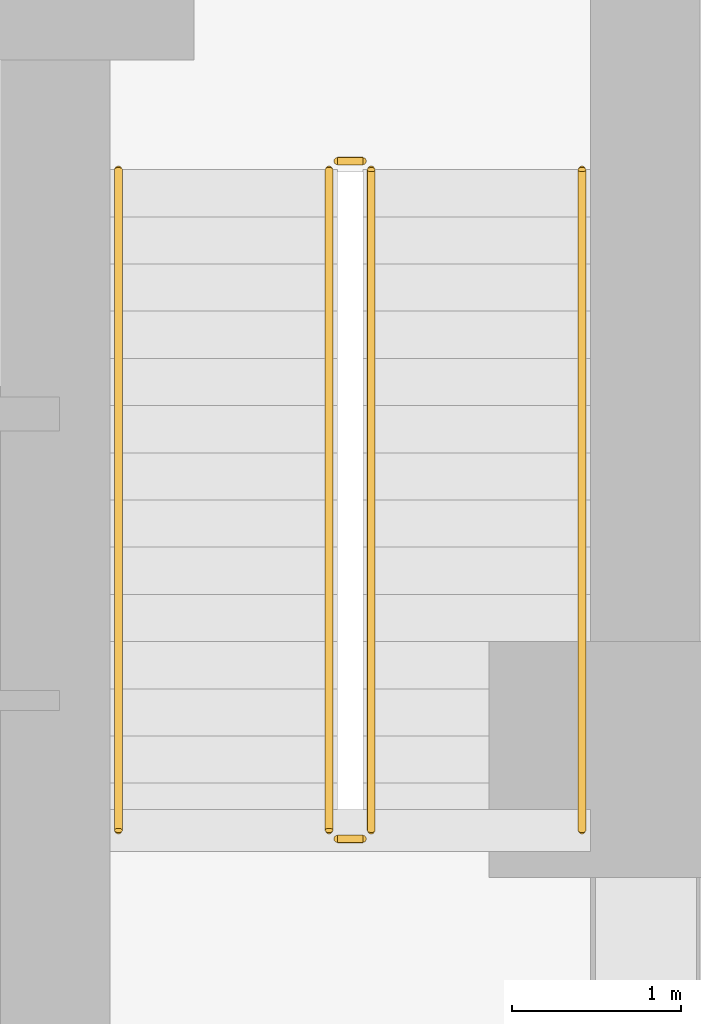
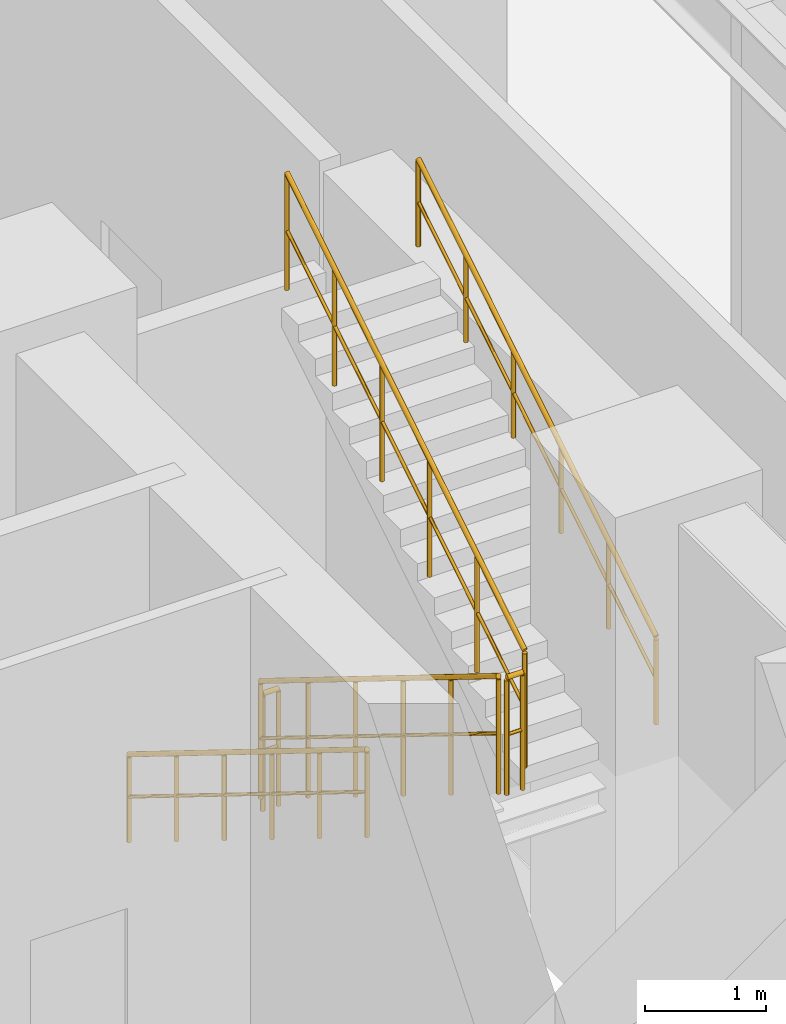
# One storey, part 18 of 19: 6 railings.
"""IFC4 building model written with IfcOpenShell, lengths in metres."""

from ifc_helpers import new_model, si_unit, direction, frame, origin, origin_2d, place, context, subcontext, project, spatial, circle, extrude, material, type_object, element, save


model = new_model("IFC4")

# Units and contexts
model_context = context("Model", 3, precision=1e-05, world=origin(), true_north=direction((0.0, 1.0)))
body_context = subcontext(model_context, "Body", "Model", "MODEL_VIEW")
ifc_project = project(units=[si_unit("LENGTHUNIT", "METRE"), si_unit("AREAUNIT", "SQUARE_METRE"), si_unit("VOLUMEUNIT", "CUBIC_METRE"), si_unit("PLANEANGLEUNIT", "RADIAN"), si_unit("MASSUNIT", "GRAM", prefix="KILO")], contexts=[model_context])

# Site, building, storey
site_placement = place(None, origin())
site = spatial("IfcSite", under=ifc_project, at=site_placement, CompositionType="ELEMENT")
building_placement = place(site_placement, origin())
building = spatial("IfcBuilding", under=site, at=building_placement, Name="Miruveldt Soraemaru", CompositionType="ELEMENT")
storey_placement = place(building_placement, frame((0.0, 0.0, 24.0)))
storey = spatial("IfcBuildingStorey", under=building, at=storey_placement, Name="L06", CompositionType="ELEMENT", Elevation=24.0)

# Railings
ifc_material = material(Name="Steel S355 (355 MPa)", Category="steel")
railing_type_1 = type_object("IfcRailingType", Name="RAIL-HR-900", PredefinedType="HANDRAIL", material=ifc_material)
railing_1_placement = place(storey_placement, frame((49.60009765625, 42.699951171875, 0.17333984375)))
element("IfcRailing", 1, at=railing_1_placement, inside=storey, type_object=railing_type_1, Name="L06 ST-2 stair handrail 1", PredefinedType="HANDRAIL", context=body_context, shape_type="SweptSolid", body=[
    extrude(circle(Radius=0.02392578125, at=origin_2d()), frame((0.0, 0.0, 0.8759765625), z_axis=(0.0, -0.850251603719, 0.526376491091), x_axis=(1.0, 0.0, 0.0)), (0.0, 0.0, 1.0), 4.6103515625),
    extrude(circle(Radius=0.01611328125, at=origin_2d()), frame((0.0, 0.0, 0.449951171875), z_axis=(0.0, -0.850251603719, 0.526376491091), x_axis=(1.0, 0.0, 0.0)), (0.0, 0.0, 1.0), 4.6103515625),
    extrude(circle(Radius=0.02099609375, at=origin_2d()), origin(), (0.0, 0.0, 1.0), 0.851806640625),
    extrude(circle(Radius=0.02099609375, at=origin_2d()), frame((0.0, -0.783935546875, 0.4853515625)), (0.0, 0.0, 1.0), 0.851806640625),
    extrude(circle(Radius=0.02099609375, at=origin_2d()), frame((0.0, -1.56787109375, 0.970703125)), (0.0, 0.0, 1.0), 0.851806640625),
    extrude(circle(Radius=0.02099609375, at=origin_2d()), frame((0.0, -2.35205078125, 1.4560546875)), (0.0, 0.0, 1.0), 0.851806640625),
    extrude(circle(Radius=0.02099609375, at=origin_2d()), frame((0.0, -3.135986328125, 1.94140625)), (0.0, 0.0, 1.0), 0.851806640625),
    extrude(circle(Radius=0.02099609375, at=origin_2d()), frame((0.0, -3.919921875, 2.4267578125)), (0.0, 0.0, 1.0), 0.851806640625),
])
railing_2_placement = place(storey_placement, frame((52.35009765625, 38.780029296875, 2.7734375)))
element("IfcRailing", 2, at=railing_2_placement, inside=storey, type_object=railing_type_1, Name="L06 ST-2 stair handrail 2", PredefinedType="HANDRAIL", context=body_context, shape_type="SweptSolid", body=[
    extrude(circle(Radius=0.02392578125, at=origin_2d()), frame((0.0, 0.0, 0.8759765625), z_axis=(0.0, 0.850275303828, 0.526338206574), x_axis=(-1.0, 0.0, 0.0)), (0.0, 0.0, 1.0), 4.610107421875),
    extrude(circle(Radius=0.01611328125, at=origin_2d()), frame((0.0, 0.0, 0.449951171875), z_axis=(0.0, 0.850275303828, 0.526338206574), x_axis=(-1.0, 0.0, 0.0)), (0.0, 0.0, 1.0), 4.610107421875),
    extrude(circle(Radius=0.02099609375, at=origin_2d()), origin(), (0.0, 0.0, 1.0), 0.851806640625),
    extrude(circle(Radius=0.02099609375, at=origin_2d()), frame((0.0, 0.783935546875, 0.4853515625)), (0.0, 0.0, 1.0), 0.851806640625),
    extrude(circle(Radius=0.02099609375, at=origin_2d()), frame((0.0, 1.56787109375, 0.970703125)), (0.0, 0.0, 1.0), 0.851806640625),
    extrude(circle(Radius=0.02099609375, at=origin_2d()), frame((0.0, 2.35205078125, 1.455810546875)), (0.0, 0.0, 1.0), 0.851806640625),
    extrude(circle(Radius=0.02099609375, at=origin_2d()), frame((0.0, 3.135986328125, 1.941162109375)), (0.0, 0.0, 1.0), 0.851806640625),
    extrude(circle(Radius=0.02099609375, at=origin_2d()), frame((0.0, 3.919921875, 2.426513671875)), (0.0, 0.0, 1.0), 0.851806640625),
])
railing_type_2 = type_object("IfcRailingType", Name="RAIL-STGUARD-1200", PredefinedType="GUARDRAIL", material=ifc_material)
railing_3_placement = place(storey_placement, frame((50.85009765625, 42.699951171875, 0.17333984375)))
element("IfcRailing", 3, at=railing_3_placement, inside=storey, type_object=railing_type_2, Name="L06 ST-2 stair guard 1", PredefinedType="GUARDRAIL", context=body_context, shape_type="SweptSolid", body=[
    extrude(circle(Radius=0.02392578125, at=origin_2d()), frame((0.0, 0.0, 1.17578125), z_axis=(0.0, -0.850251603719, 0.526376491091), x_axis=(1.0, 0.0, 0.0)), (0.0, 0.0, 1.0), 4.6103515625),
    extrude(circle(Radius=0.01611328125, at=origin_2d()), frame((0.0, 0.0, 0.60009765625), z_axis=(0.0, -0.850251603719, 0.526376491091), x_axis=(1.0, 0.0, 0.0)), (0.0, 0.0, 1.0), 4.6103515625),
    extrude(circle(Radius=0.02099609375, at=origin_2d()), origin(), (0.0, 0.0, 1.0), 1.15185546875),
    extrude(circle(Radius=0.02099609375, at=origin_2d()), frame((0.0, -0.783935546875, 0.4853515625)), (0.0, 0.0, 1.0), 1.15185546875),
    extrude(circle(Radius=0.02099609375, at=origin_2d()), frame((0.0, -1.56787109375, 0.970703125)), (0.0, 0.0, 1.0), 1.15185546875),
    extrude(circle(Radius=0.02099609375, at=origin_2d()), frame((0.0, -2.35205078125, 1.4560546875)), (0.0, 0.0, 1.0), 1.15185546875),
    extrude(circle(Radius=0.02099609375, at=origin_2d()), frame((0.0, -3.135986328125, 1.94140625)), (0.0, 0.0, 1.0), 1.15185546875),
    extrude(circle(Radius=0.02099609375, at=origin_2d()), frame((0.0, -3.919921875, 2.4267578125)), (0.0, 0.0, 1.0), 1.15185546875),
])
railing_4_placement = place(storey_placement, frame((50.89990234375, 38.72998046875, 2.60009765625)))
element("IfcRailing", 4, at=railing_4_placement, inside=storey, type_object=railing_type_2, Name="L06 ST-2 stair guard 2", PredefinedType="GUARDRAIL", context=body_context, shape_type="SweptSolid", body=[
    extrude(circle(Radius=0.02392578125, at=origin_2d()), frame((0.0, 0.0, 1.17578125), z_axis=(1.0, 0.0, 0.0), x_axis=(0.0, 1.0, 0.0)), (0.0, 0.0, 1.0), 0.150146484375),
    extrude(circle(Radius=0.01611328125, at=origin_2d()), frame((0.0, 0.0, 0.60009765625), z_axis=(1.0, 0.0, 0.0), x_axis=(0.0, 1.0, 0.0)), (0.0, 0.0, 1.0), 0.150146484375),
    extrude(circle(Radius=0.02099609375, at=origin_2d()), origin(), (0.0, 0.0, 1.0), 1.15185546875),
    extrude(circle(Radius=0.02099609375, at=origin_2d()), frame((0.150146484375, 0.0, 0.0)), (0.0, 0.0, 1.0), 1.15185546875),
])
railing_5_placement = place(storey_placement, frame((51.10009765625, 38.780029296875, 2.7734375)))
element("IfcRailing", 5, at=railing_5_placement, inside=storey, type_object=railing_type_2, Name="L06 ST-2 stair guard 3", PredefinedType="GUARDRAIL", context=body_context, shape_type="SweptSolid", body=[
    extrude(circle(Radius=0.02392578125, at=origin_2d()), frame((0.0, 0.0, 1.17578125), z_axis=(0.0, 0.850275303828, 0.526338206574), x_axis=(-1.0, 0.0, 0.0)), (0.0, 0.0, 1.0), 4.610107421875),
    extrude(circle(Radius=0.01611328125, at=origin_2d()), frame((0.0, 0.0, 0.60009765625), z_axis=(0.0, 0.850275303828, 0.526338206574), x_axis=(-1.0, 0.0, 0.0)), (0.0, 0.0, 1.0), 4.610107421875),
    extrude(circle(Radius=0.02099609375, at=origin_2d()), origin(), (0.0, 0.0, 1.0), 1.15185546875),
    extrude(circle(Radius=0.02099609375, at=origin_2d()), frame((0.0, 0.783935546875, 0.4853515625)), (0.0, 0.0, 1.0), 1.15185546875),
    extrude(circle(Radius=0.02099609375, at=origin_2d()), frame((0.0, 1.56787109375, 0.970703125)), (0.0, 0.0, 1.0), 1.15185546875),
    extrude(circle(Radius=0.02099609375, at=origin_2d()), frame((0.0, 2.35205078125, 1.455810546875)), (0.0, 0.0, 1.0), 1.15185546875),
    extrude(circle(Radius=0.02099609375, at=origin_2d()), frame((0.0, 3.135986328125, 1.941162109375)), (0.0, 0.0, 1.0), 1.15185546875),
    extrude(circle(Radius=0.02099609375, at=origin_2d()), frame((0.0, 3.919921875, 2.426513671875)), (0.0, 0.0, 1.0), 1.15185546875),
])
railing_6_placement = place(storey_placement, frame((50.89990234375, 42.75, 0.0)))
element("IfcRailing", 6, at=railing_6_placement, inside=storey, type_object=railing_type_2, Name="L06 ST-2 stair guard 4", PredefinedType="GUARDRAIL", context=body_context, shape_type="SweptSolid", body=[
    extrude(circle(Radius=0.02392578125, at=origin_2d()), frame((0.0, 0.0, 1.17578125), z_axis=(1.0, 0.0, 0.0), x_axis=(0.0, 1.0, 0.0)), (0.0, 0.0, 1.0), 0.150146484375),
    extrude(circle(Radius=0.01611328125, at=origin_2d()), frame((0.0, 0.0, 0.60009765625), z_axis=(1.0, 0.0, 0.0), x_axis=(0.0, 1.0, 0.0)), (0.0, 0.0, 1.0), 0.150146484375),
    extrude(circle(Radius=0.02099609375, at=origin_2d()), origin(), (0.0, 0.0, 1.0), 1.15185546875),
    extrude(circle(Radius=0.02099609375, at=origin_2d()), frame((0.150146484375, 0.0, 0.0)), (0.0, 0.0, 1.0), 1.15185546875),
])

save(model, "model.ifc")
